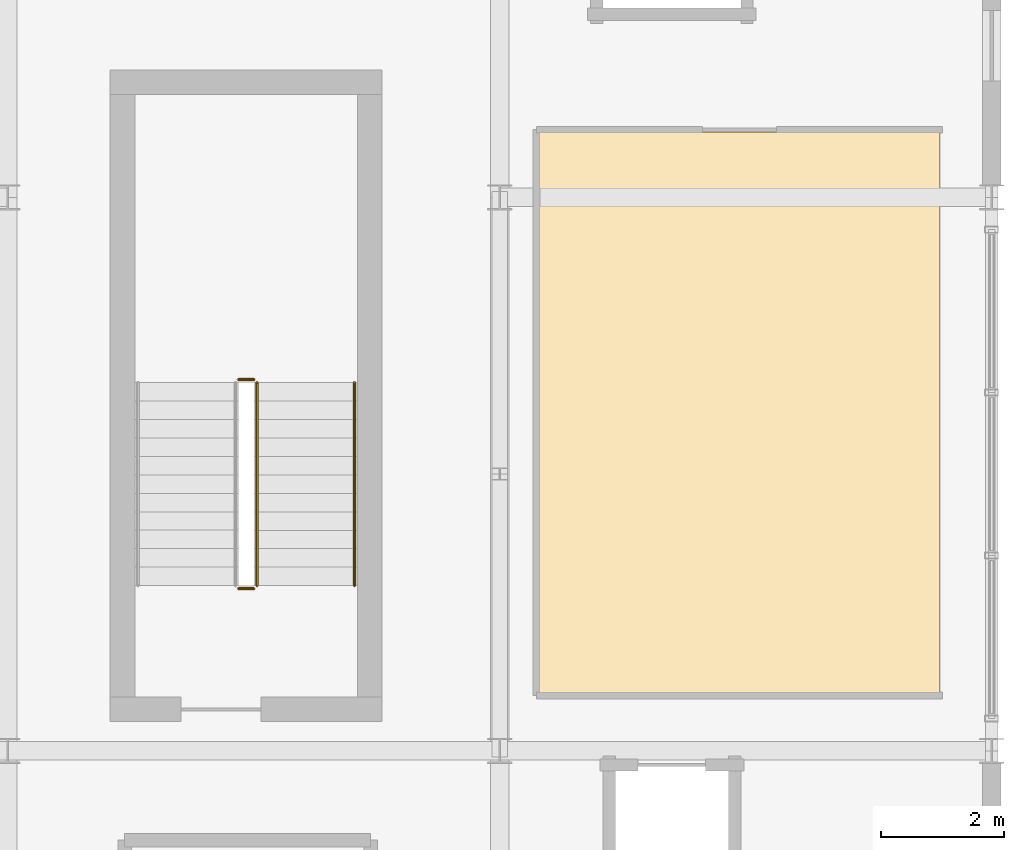
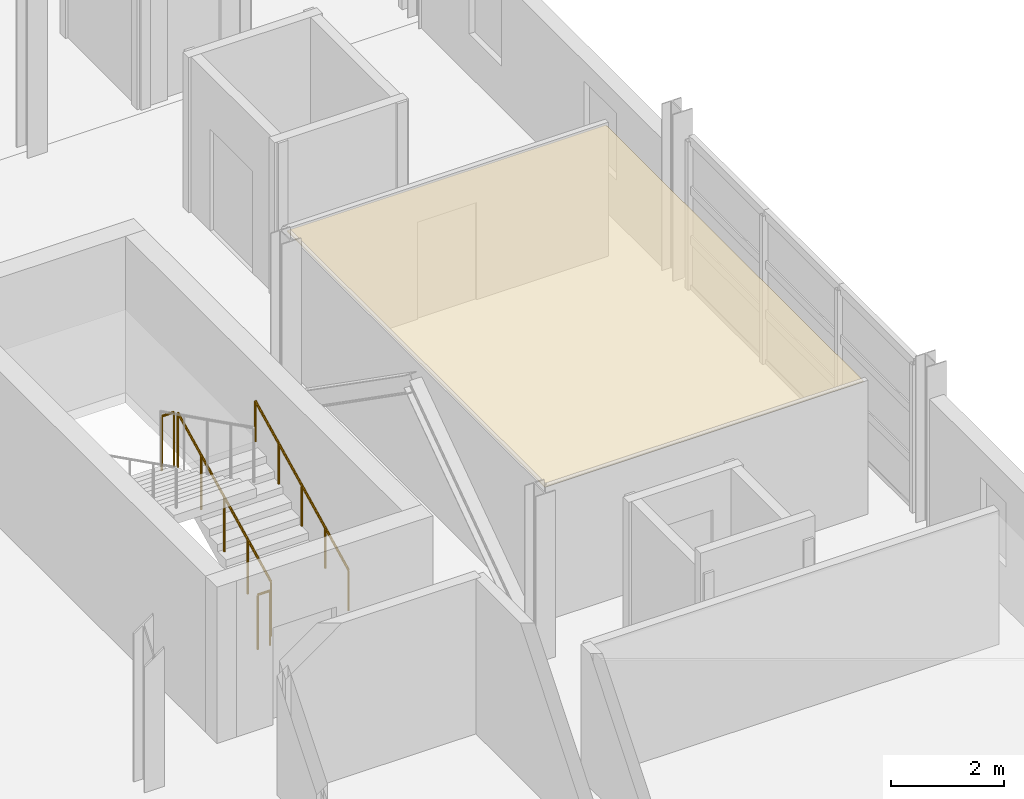
# One storey, part 112 of 116: 4 railings, 1 covering.
"""IFC4 building model written with IfcOpenShell, lengths in metres."""

from ifc_helpers import new_model, si_unit, direction, frame, origin, origin_2d, place, context, subcontext, project, spatial, polyline, circle, outline, extrude, material, layer, layer_set, type_object, element, save


model = new_model("IFC4")

# Units and contexts
model_context = context("Model", 3, precision=1e-05, world=origin(), true_north=direction((0.0, 1.0)))
body_context = subcontext(model_context, "Body", "Model", "MODEL_VIEW")
ifc_project = project(units=[si_unit("LENGTHUNIT", "METRE"), si_unit("AREAUNIT", "SQUARE_METRE"), si_unit("VOLUMEUNIT", "CUBIC_METRE"), si_unit("PLANEANGLEUNIT", "RADIAN"), si_unit("MASSUNIT", "GRAM", prefix="KILO")], contexts=[model_context])

# Site, building, storey
site_placement = place(None, origin())
site = spatial("IfcSite", under=ifc_project, at=site_placement, CompositionType="ELEMENT")
building_placement = place(site_placement, origin())
building = spatial("IfcBuilding", under=site, at=building_placement, Name="Chuanluo Vaults Station", CompositionType="ELEMENT")
storey_placement = place(building_placement, frame((0.0, 0.0, 10.800048828125)))
storey = spatial("IfcBuildingStorey", under=building, at=storey_placement, Name="L02", CompositionType="ELEMENT", Elevation=10.800048828125)

# Covering
ifc_material_1 = material(Name="Acoustic mineral-fibre tile")
ifc_layer = layer(ifc_material_1, 0.02490234375)
ifc_layer_set = layer_set([ifc_layer], Name="Acoustic mineral-fibre tile")
covering_type = type_object("IfcCoveringType", Name="COV-CEIL-TILE", PredefinedType="CEILING", material=ifc_layer_set)
covering_placement = place(storey_placement, frame((0.0, 0.0, 2.81494140625)))
element("IfcCovering", 1, at=covering_placement, inside=storey, type_object=covering_type, Name="L02-21 suspended acoustic ceiling", PredefinedType="CEILING", context=body_context, shape_type="SweptSolid", body=[
    extrude(outline(polyline([(180.639892578125, 86.43994140625), (187.159912109375, 86.43994140625), (187.159912109375, 95.56005859375), (180.639892578125, 95.56005859375), (180.639892578125, 86.43994140625)])), origin(), (0.0, 0.0, 1.0), 0.02490234375),
])

# Railings
ifc_material_2 = material(Name="Tempered laminated balustrade glass", Category="glass")
railing_type_1 = type_object("IfcRailingType", Name="RLG-GUARD-1200", PredefinedType="BALUSTRADE", material=ifc_material_2)
railing_1_placement = place(storey_placement, frame((176.052490234375, 88.1875, 0.14990234375)))
element("IfcRailing", 2, at=railing_1_placement, inside=storey, type_object=railing_type_1, Name="L02 ST-01 stair guard 1", PredefinedType="BALUSTRADE", context=body_context, shape_type="SweptSolid", body=[
    extrude(circle(Radius=0.02392578125, at=origin_2d()), frame((0.0, 0.0, 1.17578125), z_axis=(0.0, 0.894413956696, 0.447240063129), x_axis=(-1.0, 0.0, 0.0)), (0.0, 0.0, 1.0), 3.689697265625),
    extrude(circle(Radius=0.02099609375, at=origin_2d()), origin(), (0.0, 0.0, 1.0), 1.15185546875),
    extrude(circle(Radius=0.02099609375, at=origin_2d()), frame((0.0, 0.824951171875, 0.41259765625)), (0.0, 0.0, 1.0), 1.15185546875),
    extrude(circle(Radius=0.02099609375, at=origin_2d()), frame((0.0, 1.64990234375, 0.8251953125)), (0.0, 0.0, 1.0), 1.15185546875),
    extrude(circle(Radius=0.02099609375, at=origin_2d()), frame((0.0, 2.47509765625, 1.237548828125)), (0.0, 0.0, 1.0), 1.15185546875),
    extrude(circle(Radius=0.02099609375, at=origin_2d()), frame((0.0, 3.300048828125, 1.650146484375)), (0.0, 0.0, 1.0), 1.15185546875),
])
for number, where, name in (
    (3, (176.00244140625, 91.53759765625, 1.800048828125), "L02 ST-01 stair guard 2"),
    (4, (176.00244140625, 88.137451171875, 0.0), "L02 ST-01 stair guard 4"),
):
    element("IfcRailing", number, at=place(storey_placement, frame(where)), inside=storey, type_object=railing_type_1, Name=name, PredefinedType="BALUSTRADE", context=body_context, shape_type="SweptSolid", body=[
        extrude(circle(Radius=0.02392578125, at=origin_2d()), frame((0.0, 0.0, 1.17578125), z_axis=(-1.0, 0.0, 0.0), x_axis=(0.0, -1.0, 0.0)), (0.0, 0.0, 1.0), 0.25),
        extrude(circle(Radius=0.02099609375, at=origin_2d()), origin(), (0.0, 0.0, 1.0), 1.15185546875),
        extrude(circle(Radius=0.02099609375, at=origin_2d()), frame((-0.25, 0.0, 0.0)), (0.0, 0.0, 1.0), 1.15185546875),
    ])
ifc_material_3 = material(Name="Brushed stainless steel 304", Category="steel")
railing_type_2 = type_object("IfcRailingType", Name="RLG-HAND-900", PredefinedType="HANDRAIL", material=ifc_material_3)
railing_2_placement = place(storey_placement, frame((177.637451171875, 88.1875, 0.14990234375)))
element("IfcRailing", 5, at=railing_2_placement, inside=storey, type_object=railing_type_2, Name="L02 ST-01 stair handrail 1", PredefinedType="HANDRAIL", context=body_context, shape_type="SweptSolid", body=[
    extrude(circle(Radius=0.02392578125, at=origin_2d()), frame((0.0, 0.0, 0.8759765625), z_axis=(0.0, 0.894413956696, 0.447240063129), x_axis=(-1.0, 0.0, 0.0)), (0.0, 0.0, 1.0), 3.689697265625),
    extrude(circle(Radius=0.02099609375, at=origin_2d()), origin(), (0.0, 0.0, 1.0), 0.851806640625),
    extrude(circle(Radius=0.02099609375, at=origin_2d()), frame((0.0, 0.824951171875, 0.41259765625)), (0.0, 0.0, 1.0), 0.851806640625),
    extrude(circle(Radius=0.02099609375, at=origin_2d()), frame((0.0, 1.64990234375, 0.8251953125)), (0.0, 0.0, 1.0), 0.851806640625),
    extrude(circle(Radius=0.02099609375, at=origin_2d()), frame((0.0, 2.47509765625, 1.237548828125)), (0.0, 0.0, 1.0), 0.851806640625),
    extrude(circle(Radius=0.02099609375, at=origin_2d()), frame((0.0, 3.300048828125, 1.650146484375)), (0.0, 0.0, 1.0), 0.851806640625),
])

save(model, "model.ifc")
